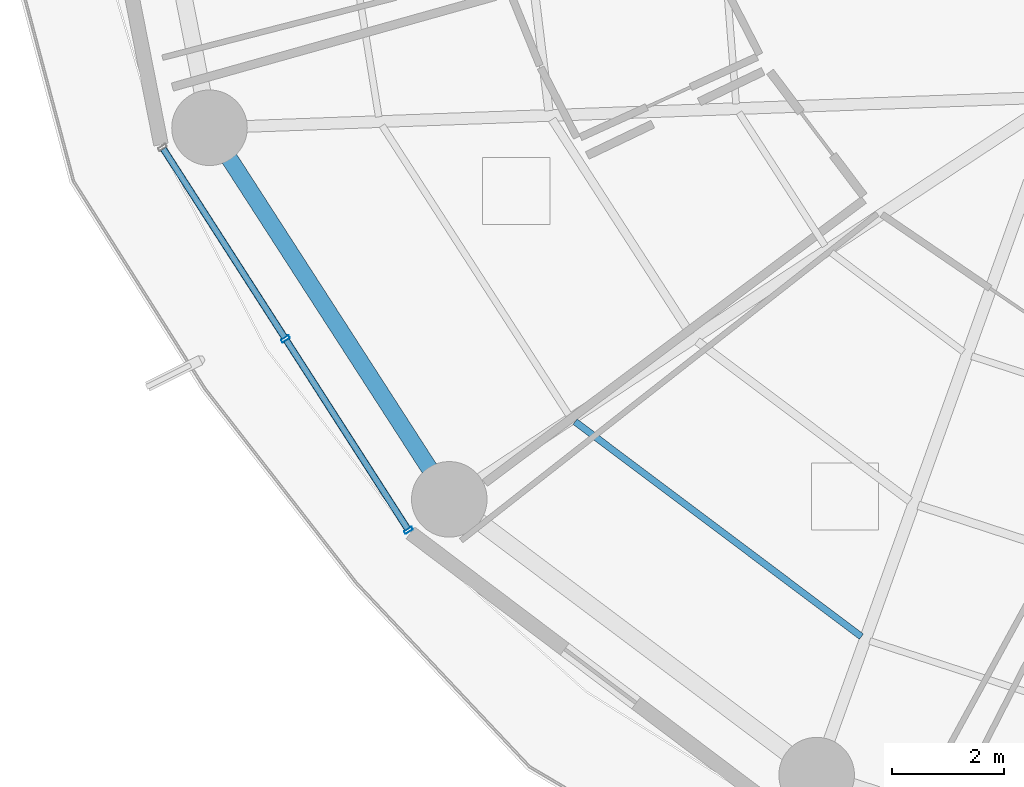
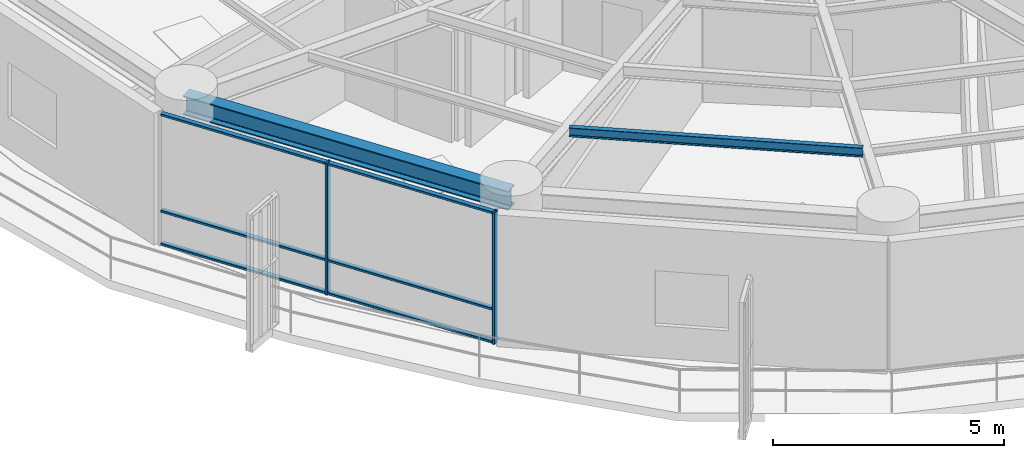
# One storey, part 2 of 38: 8 members, 2 beams, 1 element without a shape of its own.
"""IFC4 building model written with IfcOpenShell, lengths in metres."""

import ifcopenshell
import ifcopenshell.guid

model = None  # the IFC model being written
_history = None  # IfcOwnerHistory: only IFC2X3 demands one
_inside = {}  # id of a spatial element -> (the spatial element, [elements in it])
_under = {}  # id of a project, library or spatial element -> (it, [spatial elements below it])
_declared = {}  # id of a project -> (the project, [libraries it declares])
_typed = {}  # id of a type object -> (the type object, [elements of that type])
_made_of = {}  # id of a material, layer set ... -> (it, [elements and type objects made of it])


def new_model(schema):
    """Start an empty IFC model of exactly this schema.

    Asked for "IFC4X3", IfcOpenShell would pick the latest addendum, in which some entities
    have other attributes; the version numbers below select the first issue.
    IFC2X3 requires an IfcOwnerHistory on every rooted entity: one is made here for all.
    """
    global model, _history
    if schema == "IFC4X3":
        model = ifcopenshell.file(schema_version=(4, 3, 0, 0))
    else:
        model = ifcopenshell.file(schema=schema)
    _inside.clear()
    _under.clear()
    _declared.clear()
    _typed.clear()
    _made_of.clear()
    _history = None
    if model.schema == "IFC2X3":
        org = make("IfcOrganization", Name="unknown")
        user = make(
            "IfcPersonAndOrganization",
            ThePerson=make("IfcPerson", FamilyName="unknown"),
            TheOrganization=org,
        )
        app = make(
            "IfcApplication",
            ApplicationDeveloper=org,
            Version="unknown",
            ApplicationFullName="unknown",
            ApplicationIdentifier="unknown",
        )
        _history = make(
            "IfcOwnerHistory",
            OwningUser=user,
            OwningApplication=app,
            ChangeAction="ADDED",
            CreationDate=0,
        )
    return model


def make(cls, **values):
    """One entity of the class cls with the attributes given. An attribute that is None is left unset."""
    return model.create_entity(
        cls, **{name: value for name, value in values.items() if value is not None}
    )


def rooted(cls, **values):
    """An entity with a GlobalId (a new one), such as an element, a storey or a relation."""
    return make(cls, GlobalId=ifcopenshell.guid.new(), OwnerHistory=_history, **values)


def si_unit(unit_type, name, prefix=None):
    """IfcSIUnit, for example si_unit("LENGTHUNIT", "METRE", prefix="MILLI")."""
    return make("IfcSIUnit", UnitType=unit_type, Prefix=prefix, Name=name)


def assignment(units):
    """IfcUnitAssignment: the units of a project."""
    return None if units is None else make("IfcUnitAssignment", Units=units)


def point(xyz):
    """IfcCartesianPoint."""
    return None if xyz is None else make("IfcCartesianPoint", Coordinates=xyz)


def direction(xyz):
    """IfcDirection."""
    return None if xyz is None else make("IfcDirection", DirectionRatios=xyz)


def frame(location, z_axis=None, x_axis=None):
    """IfcAxis2Placement3D, a coordinate frame: its origin and axes. An axis left out is left unset."""
    return make(
        "IfcAxis2Placement3D",
        Location=point(location),
        Axis=direction(z_axis),
        RefDirection=direction(x_axis),
    )


def frame_2d(location, x_axis=None):
    """IfcAxis2Placement2D, a coordinate frame in the plane: its origin and x axis."""
    return make(
        "IfcAxis2Placement2D", Location=point(location), RefDirection=direction(x_axis)
    )


def origin():
    """The frame at (0, 0, 0) with its axes left unset."""
    return frame((0.0, 0.0, 0.0))


def origin_2d():
    """The frame at (0, 0) in the plane with its x axis left unset."""
    return frame_2d((0.0, 0.0))


def place(relative_to, where):
    """IfcLocalPlacement: puts the frame where relative to a parent placement (None: the world)."""
    return make(
        "IfcLocalPlacement", PlacementRelTo=relative_to, RelativePlacement=where
    )


def context(
    kind, dimensions, precision=None, world=None, true_north=None, identifier=None
):
    """IfcGeometricRepresentationContext, for example the 3D "Model" context."""
    return make(
        "IfcGeometricRepresentationContext",
        ContextIdentifier=identifier,
        ContextType=kind,
        CoordinateSpaceDimension=dimensions,
        Precision=precision,
        WorldCoordinateSystem=world,
        TrueNorth=true_north,
    )


def subcontext(parent, identifier, kind, view, scale=None):
    """IfcGeometricRepresentationSubContext, for example "Body" below "Model"."""
    return make(
        "IfcGeometricRepresentationSubContext",
        ContextIdentifier=identifier,
        ContextType=kind,
        ParentContext=parent,
        TargetScale=scale,
        TargetView=view,
    )


def project(units=None, contexts=None):
    """IfcProject with its units and contexts."""
    return rooted(
        "IfcProject",
        Name="project",
        RepresentationContexts=contexts,
        UnitsInContext=assignment(units),
    )


def spatial(cls, under=None, at=None, **own):
    """A site, building, storey or space (cls), placed at a placement, below another one or the project."""
    s = rooted(cls, ObjectPlacement=at, **own)
    if under is not None:
        _under.setdefault(under.id(), (under, []))[1].append(s)
    return s


def profile(cls, at=None, kind="AREA", **sizes):
    """A parametric profile (cls). Its sizes go by their IFC names, for example OverallWidth=200.0."""
    return make(cls, ProfileType=kind, Position=at, **sizes)


def hollow_rectangle(**sizes):
    """IfcRectangleHollowProfileDef."""
    return profile("IfcRectangleHollowProfileDef", **sizes)


def i_section(**sizes):
    """IfcIShapeProfileDef."""
    return profile("IfcIShapeProfileDef", **sizes)


def extrude(swept, where, along, depth):
    """IfcExtrudedAreaSolid: the profile swept, set in the frame where, extruded along a direction by depth."""
    return make(
        "IfcExtrudedAreaSolid",
        SweptArea=swept,
        Position=where,
        ExtrudedDirection=direction(along),
        Depth=depth,
    )


def shape(context_of_items, identifier, shape_type, items):
    """IfcShapeRepresentation: the items that make up one representation, for example the "Body"."""
    return make(
        "IfcShapeRepresentation",
        ContextOfItems=context_of_items,
        RepresentationIdentifier=identifier,
        RepresentationType=shape_type,
        Items=items,
    )


def material(Name=None, Category=None):
    """IfcMaterial."""
    return make("IfcMaterial", Name=Name, Category=Category)


def layer(
    of_material, thickness, ventilated=None, Name=None, Category=None, Priority=None
):
    """IfcMaterialLayer: one layer of a wall or slab, of a material (None: an air gap)."""
    return make(
        "IfcMaterialLayer",
        Material=of_material,
        LayerThickness=thickness,
        IsVentilated=ventilated,
        Name=Name,
        Category=Category,
        Priority=Priority,
    )


def layer_set(layers, Name=None):
    """IfcMaterialLayerSet."""
    return make("IfcMaterialLayerSet", MaterialLayers=layers, LayerSetName=Name)


def material_profile(
    of_material, cross_section, Name=None, Category=None, Priority=None
):
    """IfcMaterialProfile: a cross section and its material."""
    return make(
        "IfcMaterialProfile",
        Name=Name,
        Material=of_material,
        Profile=cross_section,
        Priority=Priority,
        Category=Category,
    )


def profile_set(profiles, Name=None, composite=None):
    """IfcMaterialProfileSet."""
    return make(
        "IfcMaterialProfileSet",
        Name=Name,
        MaterialProfiles=profiles,
        CompositeProfile=composite,
    )


def made_of(thing, what):
    """Note that an element or type object is made of a material, layer set ...; save() writes the relation."""
    if what is not None:
        _made_of.setdefault(what.id(), (what, []))[1].append(thing)
    return thing


def type_object(cls, material=None, **own):
    """A type object (cls), such as IfcWallType, which elements share."""
    return made_of(rooted(cls, **own), material)


def element(
    cls,
    number,
    at=None,
    inside=None,
    cuts=None,
    type_object=None,
    material=None,
    context=None,
    identifier="Body",
    shape_type=None,
    held_by="IfcProductDefinitionShape",
    body=None,
    shapes=None,
    **own,
):
    """One element of the class cls, such as IfcWall. Its Tag is "e" and its number.

    at: its placement. inside: the storey or other place that contains it. cuts: it is an
    opening in that element (IfcRelVoidsElement). A single representation is given by context,
    identifier, shape_type and body (its items); several are given by shapes. held_by: the class
    of the entity that holds the representations. save() writes the other relations.
    """
    e = rooted(cls, Tag="e%d" % number, ObjectPlacement=at, **own)
    if body is not None:
        shapes = [shape(context, identifier, shape_type, body)]
    if shapes is not None:
        e.Representation = make(held_by, Representations=shapes)
    if inside is not None:
        _inside.setdefault(inside.id(), (inside, []))[1].append(e)
    if cuts is not None:
        rooted(
            "IfcRelVoidsElement", RelatingBuildingElement=cuts, RelatedOpeningElement=e
        )
    if type_object is not None:
        _typed.setdefault(type_object.id(), (type_object, []))[1].append(e)
    return made_of(e, material)


def aggregate(whole, parts):
    """IfcRelAggregates: a whole, such as a stair, and the parts it consists of."""
    return rooted("IfcRelAggregates", RelatingObject=whole, RelatedObjects=parts)


def save(model, path):
    """Write the relations noted so far, then the file.

    IfcRelAggregates (storeys below a building ...), IfcRelContainedInSpatialStructure (elements
    in a storey), IfcRelDefinesByType, IfcRelAssociatesMaterial and IfcRelDeclares: one each for
    every whole, place, type object, material and project.
    """
    for whole, parts in _under.values():
        aggregate(whole, parts)
    for where, things in _inside.values():
        rooted(
            "IfcRelContainedInSpatialStructure",
            RelatedElements=things,
            RelatingStructure=where,
        )
    for kind, things in _typed.values():
        rooted("IfcRelDefinesByType", RelatedObjects=things, RelatingType=kind)
    for what, things in _made_of.values():
        rooted("IfcRelAssociatesMaterial", RelatedObjects=things, RelatingMaterial=what)
    for by, libraries in _declared.values():
        rooted("IfcRelDeclares", RelatingContext=by, RelatedDefinitions=libraries)
    model.write(path)


model = new_model("IFC4")

# Units and contexts
model_context = context("Model", 3, precision=1e-05, world=origin(), true_north=direction((0.0, 1.0)))
body_context = subcontext(model_context, "Body", "Model", "MODEL_VIEW")
ifc_project = project(units=[si_unit("LENGTHUNIT", "METRE"), si_unit("AREAUNIT", "SQUARE_METRE"), si_unit("VOLUMEUNIT", "CUBIC_METRE"), si_unit("PLANEANGLEUNIT", "RADIAN"), si_unit("MASSUNIT", "GRAM", prefix="KILO")], contexts=[model_context])

# Site, building, storey
site_placement = place(None, origin())
site = spatial("IfcSite", under=ifc_project, at=site_placement, CompositionType="ELEMENT")
building_placement = place(site_placement, origin())
building = spatial("IfcBuilding", under=site, at=building_placement, Name="Kelanora Arch Commons", CompositionType="ELEMENT")
storey_placement = place(building_placement, frame((0.0, 0.0, 106.35009765625)))
storey = spatial("IfcBuildingStorey", under=building, at=storey_placement, Name="L27", CompositionType="ELEMENT", Elevation=106.35009765625)

# Beams
ifc_material_1 = material(Name="Steel S355", Category="steel")
ifc_material_profile_1 = material_profile(ifc_material_1, i_section(OverallWidth=0.1201171875, OverallDepth=0.239990234375, WebThickness=0.006103515625, FlangeThickness=0.009765625, FilletRadius=0.014892578125, at=origin_2d()), Name="IPE240")
ifc_profile_set_1 = profile_set([ifc_material_profile_1], Name="Steel S355")
beam_type_1 = type_object("IfcBeamType", Name="BM-JST-02", PredefinedType="JOIST", material=ifc_profile_set_1)
beam_1_placement = place(storey_placement, frame((57.34326171875, 45.194580078125, 3.369873046875), z_axis=(0.799734335646, -0.600354055861, 0.0), x_axis=(0.600354055861, 0.799734335646, 0.0)))
element("IfcBeam", 1, at=beam_1_placement, inside=storey, type_object=beam_type_1, Name="Secondary Chord Joist BJC-22 L27", PredefinedType="JOIST", context=body_context, shape_type="SweptSolid", body=[
    extrude(i_section(OverallWidth=0.1201171875, OverallDepth=0.239990234375, WebThickness=0.006103515625, FlangeThickness=0.009765625, FilletRadius=0.014892578125, at=origin_2d()), origin(), (0.0, 0.0, 1.0), 6.39794921875),
])
ifc_material_profile_2 = material_profile(ifc_material_1, i_section(OverallWidth=0.300048828125, OverallDepth=0.5, WebThickness=0.014404296875, FlangeThickness=0.028076171875, FilletRadius=0.027099609375, at=origin_2d()), Name="HEB500")
ifc_profile_set_2 = profile_set([ifc_material_profile_2], Name="Steel S355")
beam_type_2 = type_object("IfcBeamType", Name="BM-SPN-Z2", PredefinedType="SPANDREL", material=ifc_profile_set_2)
beam_2_placement = place(storey_placement, frame((50.808349609375, 50.4482421875, 3.239990234375), z_axis=(0.542221144054, -0.840235818649, 0.0), x_axis=(0.840235818649, 0.542221144054, 0.0)))
element("IfcBeam", 2, at=beam_2_placement, inside=storey, type_object=beam_type_2, Name="Perimeter Spandrel Beam BS-20 L27", PredefinedType="SPANDREL", context=body_context, shape_type="SweptSolid", body=[
    extrude(i_section(OverallWidth=0.300048828125, OverallDepth=0.5, WebThickness=0.014404296875, FlangeThickness=0.028076171875, FilletRadius=0.027099609375, at=origin_2d()), origin(), (0.0, 0.0, 1.0), 7.90380859375),
])

# Curtain wall, members
ifc_material_2 = material(Name="Terracotta ceramic-fritted low-E glass and aluminium", Category="masonry")
ifc_layer = layer(ifc_material_2, 0.159912109375)
ifc_layer_set = layer_set([ifc_layer], Name="Terracotta ceramic-fritted low-E glass and aluminium")
curtain_wall_type = type_object("IfcCurtainWallType", Name="CW-SYS-01", PredefinedType="NOTDEFINED", material=ifc_layer_set)
curtain_wall_placement = place(storey_placement, origin())
curtain_wall = element("IfcCurtainWall", 3, at=curtain_wall_placement, inside=storey, type_object=curtain_wall_type, Name="Unitised Curtain Wall L27-B10", PredefinedType="NOTDEFINED")
ifc_material_3 = material(Name="Powder-coated aluminium terracotta", Category="masonry")
ifc_material_profile_3 = material_profile(ifc_material_3, hollow_rectangle(XDim=0.159912109375, YDim=0.06005859375, WallThickness=0.0048828125, InnerFilletRadius=0.0048828125, OuterFilletRadius=0.010009765625, at=origin_2d()), Name="CWM160x60")
ifc_profile_set_3 = profile_set([ifc_material_profile_3], Name="Powder-coated aluminium terracotta")
member_type_1 = type_object("IfcMemberType", Name="CWM-STD", PredefinedType="MULLION", material=ifc_profile_set_3)
member_1_placement = place(storey_placement, frame((52.16650390625, 46.6748046875, 0.0), z_axis=(0.0, 0.0, 1.0), x_axis=(0.841268883088, 0.540616931244, 0.0)))
member_1 = element("IfcMember", 4, at=member_1_placement, type_object=member_type_1, Name="CW-01 mullion 2", PredefinedType="MULLION", context=body_context, shape_type="SweptSolid", body=[
    extrude(hollow_rectangle(XDim=0.159912109375, YDim=0.06005859375, WallThickness=0.0048828125, InnerFilletRadius=0.0048828125, OuterFilletRadius=0.010009765625, at=origin_2d()), origin(), (0.0, 0.0, 1.0), 3.474853515625),
])
member_2_placement = place(storey_placement, frame((54.364990234375, 43.253662109375, 0.0), z_axis=(0.0, 0.0, 1.0), x_axis=(0.841268883088, 0.540616931244, 0.0)))
member_2 = element("IfcMember", 5, at=member_2_placement, type_object=member_type_1, Name="CW-01 mullion 3", PredefinedType="MULLION", context=body_context, shape_type="SweptSolid", body=[
    extrude(hollow_rectangle(XDim=0.159912109375, YDim=0.06005859375, WallThickness=0.0048828125, InnerFilletRadius=0.0048828125, OuterFilletRadius=0.010009765625, at=origin_2d()), origin(), (0.0, 0.0, 1.0), 3.474853515625),
])
ifc_material_profile_4 = material_profile(ifc_material_3, hollow_rectangle(XDim=0.1201171875, YDim=0.06005859375, WallThickness=0.0048828125, InnerFilletRadius=0.0048828125, OuterFilletRadius=0.010009765625, at=origin_2d()), Name="CWT120x60")
ifc_profile_set_4 = profile_set([ifc_material_profile_4], Name="Powder-coated aluminium terracotta")
member_type_2 = type_object("IfcMemberType", Name="CWT-STD", PredefinedType="USERDEFINED", material=ifc_profile_set_4)
member_3_placement = place(storey_placement, frame((49.984375, 50.0703125, 0.02978515625), z_axis=(0.540643629734, -0.841251725483, 0.0), x_axis=(0.841251725483, 0.540643629734, 0.0)))
member_3 = element("IfcMember", 6, at=member_3_placement, type_object=member_type_2, Name="CW-01 transom 1.1", ObjectType="TRANSOM", PredefinedType="USERDEFINED", context=body_context, shape_type="SweptSolid", body=[
    extrude(hollow_rectangle(XDim=0.1201171875, YDim=0.06005859375, WallThickness=0.0048828125, InnerFilletRadius=0.0048828125, OuterFilletRadius=0.010009765625, at=origin_2d()), origin(), (0.0, 0.0, 1.0), 4.00634765625),
])
member_4_placement = place(storey_placement, frame((49.984375, 50.0703125, 0.89990234375), z_axis=(0.540643629734, -0.841251725483, 0.0), x_axis=(0.841251725483, 0.540643629734, 0.0)))
member_4 = element("IfcMember", 7, at=member_4_placement, type_object=member_type_2, Name="CW-01 transom 1.2", ObjectType="TRANSOM", PredefinedType="USERDEFINED", context=body_context, shape_type="SweptSolid", body=[
    extrude(hollow_rectangle(XDim=0.1201171875, YDim=0.06005859375, WallThickness=0.0048828125, InnerFilletRadius=0.0048828125, OuterFilletRadius=0.010009765625, at=origin_2d()), origin(), (0.0, 0.0, 1.0), 4.00634765625),
])
member_5_placement = place(storey_placement, frame((49.984375, 50.0703125, 3.44482421875), z_axis=(0.540643629734, -0.841251725483, 0.0), x_axis=(0.841251725483, 0.540643629734, 0.0)))
member_5 = element("IfcMember", 8, at=member_5_placement, type_object=member_type_2, Name="CW-01 transom 1.3", ObjectType="TRANSOM", PredefinedType="USERDEFINED", context=body_context, shape_type="SweptSolid", body=[
    extrude(hollow_rectangle(XDim=0.1201171875, YDim=0.06005859375, WallThickness=0.0048828125, InnerFilletRadius=0.0048828125, OuterFilletRadius=0.010009765625, at=origin_2d()), origin(), (0.0, 0.0, 1.0), 4.00634765625),
])
member_6_placement = place(storey_placement, frame((52.182861328125, 46.6494140625, 0.02978515625), z_axis=(0.540643629734, -0.841251725483, 0.0), x_axis=(0.841251725483, 0.540643629734, 0.0)))
member_6 = element("IfcMember", 9, at=member_6_placement, type_object=member_type_2, Name="CW-01 transom 2.1", ObjectType="TRANSOM", PredefinedType="USERDEFINED", context=body_context, shape_type="SweptSolid", body=[
    extrude(hollow_rectangle(XDim=0.1201171875, YDim=0.06005859375, WallThickness=0.0048828125, InnerFilletRadius=0.0048828125, OuterFilletRadius=0.010009765625, at=origin_2d()), origin(), (0.0, 0.0, 1.0), 4.00634765625),
])
member_7_placement = place(storey_placement, frame((52.182861328125, 46.6494140625, 0.89990234375), z_axis=(0.540643629734, -0.841251725483, 0.0), x_axis=(0.841251725483, 0.540643629734, 0.0)))
member_7 = element("IfcMember", 10, at=member_7_placement, type_object=member_type_2, Name="CW-01 transom 2.2", ObjectType="TRANSOM", PredefinedType="USERDEFINED", context=body_context, shape_type="SweptSolid", body=[
    extrude(hollow_rectangle(XDim=0.1201171875, YDim=0.06005859375, WallThickness=0.0048828125, InnerFilletRadius=0.0048828125, OuterFilletRadius=0.010009765625, at=origin_2d()), origin(), (0.0, 0.0, 1.0), 4.00634765625),
])
member_8_placement = place(storey_placement, frame((52.182861328125, 46.6494140625, 3.44482421875), z_axis=(0.540643629734, -0.841251725483, 0.0), x_axis=(0.841251725483, 0.540643629734, 0.0)))
member_8 = element("IfcMember", 11, at=member_8_placement, type_object=member_type_2, Name="CW-01 transom 2.3", ObjectType="TRANSOM", PredefinedType="USERDEFINED", context=body_context, shape_type="SweptSolid", body=[
    extrude(hollow_rectangle(XDim=0.1201171875, YDim=0.06005859375, WallThickness=0.0048828125, InnerFilletRadius=0.0048828125, OuterFilletRadius=0.010009765625, at=origin_2d()), origin(), (0.0, 0.0, 1.0), 4.00634765625),
])
aggregate(curtain_wall, [member_1, member_2, member_3, member_4, member_5, member_6, member_7, member_8])

save(model, "model.ifc")
